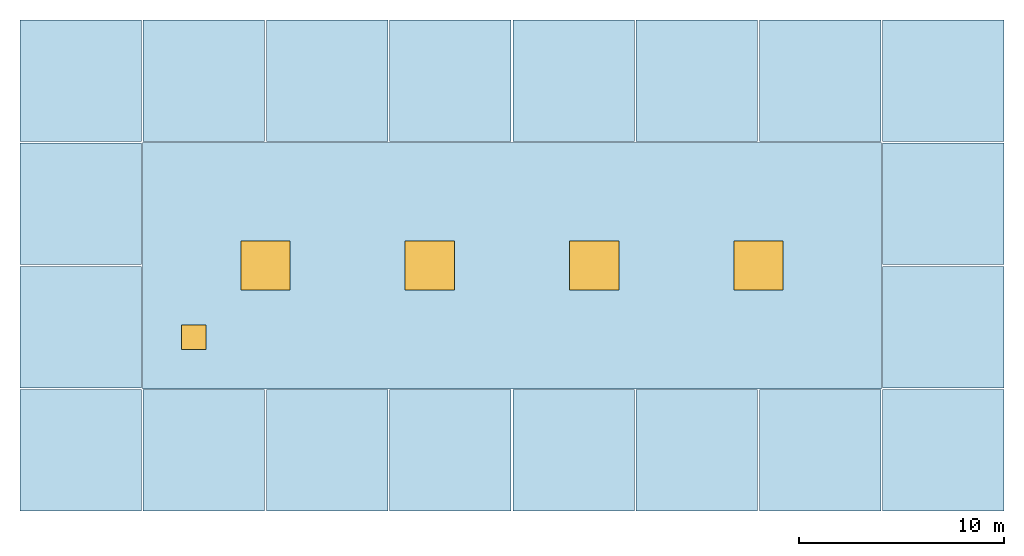
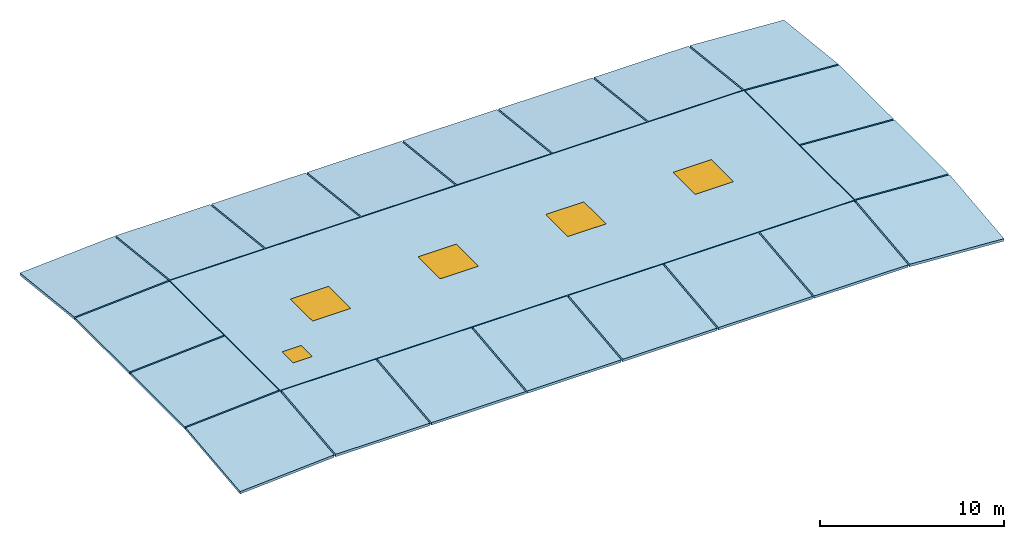
"""IFC4 building model written with IfcOpenShell, lengths in metres."""

from ifc_helpers import new_model, si_unit, direction, frame, origin, origin_2d, place, context, subcontext, project, spatial, polyline, rectangle, outline, extrude, material, layer, layer_set, type_object, element, fill, save


model = new_model("IFC4")

# Units and contexts
model_context = context("Model", 3, precision=1e-05, world=origin(), true_north=direction((0.0, 1.0)))
body_context = subcontext(model_context, "Body", "Model", "MODEL_VIEW")
ifc_project = project(units=[si_unit("LENGTHUNIT", "METRE"), si_unit("AREAUNIT", "SQUARE_METRE"), si_unit("VOLUMEUNIT", "CUBIC_METRE"), si_unit("PLANEANGLEUNIT", "RADIAN"), si_unit("MASSUNIT", "GRAM", prefix="KILO")], contexts=[model_context])

# Site, building, storey
site_placement = place(None, origin())
site = spatial("IfcSite", under=ifc_project, at=site_placement, CompositionType="ELEMENT")
building_placement = place(site_placement, origin())
building = spatial("IfcBuilding", under=site, at=building_placement, Name="Kolvaren Corner Interchange", CompositionType="ELEMENT")
storey_1_placement = place(building_placement, frame((0.0, 0.0, 26.800048828125)))
storey_1 = spatial("IfcBuildingStorey", under=building, at=storey_1_placement, Name="ROOF", CompositionType="ELEMENT", Elevation=26.800048828125)

# Slabs
ifc_material_1 = material(Name="Solar-Control Tempered Double Glazing", Category="glass")
ifc_layer_1 = layer(ifc_material_1, 0.179931640625)
ifc_layer_set_1 = layer_set([ifc_layer_1], Name="Solar-Control Tempered Double Glazing")
slab_type_1 = type_object("IfcSlabType", Name="SL-GRID-GLASS", PredefinedType="ROOF", material=ifc_layer_set_1)
slab_1_placement = place(storey_1_placement, frame((66.048095703125, 36.048095703125, 0.074951171875), z_axis=(-0.061998234989, -0.110219084425, 0.991971759823), x_axis=(0.998052578483, 0.0, 0.062378286155)))
element("IfcSlab", 1, at=slab_1_placement, inside=storey_1, type_object=slab_type_1, Name="Concourse Translational Gridshell Planar Glass Roof Panel 0027", PredefinedType="ROOF", context=body_context, shape_type="SweptSolid", body=[
    extrude(outline(polyline([(0.0, 0.0), (5.91552, 0.0), (5.95644, 5.94019), (0.04092, 5.94019), (0.0, 0.0)])), origin(), (0.0, 0.0, -1.0), 0.179931640625),
])
for number, where, z_axis, x_axis, name in (
    (2, (66.048095703125, 42.048095703125, 0.73095703125), (-0.062378286155, 0.0, 0.998052578483), (0.998052578483, 0.0, 0.062378286155), "Concourse Translational Gridshell Planar Glass Roof Panel 0028"),
    (3, (66.048095703125, 48.048095703125, 0.73095703125), (-0.062378286155, 0.0, 0.998052578483), (0.998052578483, 0.0, 0.062378286155), "Concourse Translational Gridshell Planar Glass Roof Panel 0029"),
):
    element("IfcSlab", number, at=place(storey_1_placement, frame(where, z_axis=z_axis, x_axis=x_axis)), inside=storey_1, type_object=slab_type_1, Name=name, PredefinedType="ROOF", context=body_context, shape_type="SweptSolid", body=[
        extrude(outline(polyline([(0.0, 0.0), (5.91552, 0.0), (5.91552, 5.904), (0.0, 5.904), (0.0, 0.0)])), origin(), (0.0, 0.0, -1.0), 0.179931640625),
    ])
slab_2_placement = place(storey_1_placement, frame((66.048095703125, 54.048095703125, 0.73095703125), z_axis=(-0.061998234989, 0.110219084425, 0.991971759823), x_axis=(0.998052578483, 0.0, 0.062378286155)))
element("IfcSlab", 4, at=slab_2_placement, inside=storey_1, type_object=slab_type_1, Name="Concourse Translational Gridshell Planar Glass Roof Panel 0030", PredefinedType="ROOF", context=body_context, shape_type="SweptSolid", body=[
    extrude(outline(polyline([(0.0, 0.0), (5.91552, 0.0), (5.8746, 5.94019), (-0.04092, 5.94019), (0.0, 0.0)])), origin(), (0.0, 0.0, -1.0), 0.179931640625),
])
for number, where, z_axis, x_axis, name in (
    (5, (72.048095703125, 36.048095703125, 0.44384765625), (0.0, -0.110431526075, 0.993883734674), (1.0, 0.0, 0.0), "Concourse Translational Gridshell Planar Glass Roof Panel 0035"),
    (6, (72.048095703125, 54.048095703125, 1.099853515625), (0.0, 0.110431526075, 0.993883734674), (1.0, 0.0, 0.0), "Concourse Translational Gridshell Planar Glass Roof Panel 0038"),
    (7, (78.048095703125, 36.048095703125, 0.44384765625), (0.0, -0.110431526075, 0.993883734674), (1.0, 0.0, 0.0), "Concourse Translational Gridshell Planar Glass Roof Panel 0043"),
    (8, (78.048095703125, 54.048095703125, 1.099853515625), (0.0, 0.110431526075, 0.993883734674), (1.0, 0.0, 0.0), "Concourse Translational Gridshell Planar Glass Roof Panel 0046"),
    (9, (84.048095703125, 36.048095703125, 0.44384765625), (0.0, -0.110431526075, 0.993883734674), (1.0, 0.0, 0.0), "Concourse Translational Gridshell Planar Glass Roof Panel 0051"),
    (10, (84.048095703125, 54.048095703125, 1.099853515625), (0.0, 0.110431526075, 0.993883734674), (1.0, 0.0, 0.0), "Concourse Translational Gridshell Planar Glass Roof Panel 0054"),
    (11, (90.048095703125, 36.048095703125, 0.44384765625), (0.0, -0.110431526075, 0.993883734674), (1.0, 0.0, 0.0), "Concourse Translational Gridshell Planar Glass Roof Panel 0059"),
    (12, (90.048095703125, 54.048095703125, 1.099853515625), (0.0, 0.110431526075, 0.993883734674), (1.0, 0.0, 0.0), "Concourse Translational Gridshell Planar Glass Roof Panel 0062"),
    (13, (96.048095703125, 36.048095703125, 0.44384765625), (0.0, -0.110431526075, 0.993883734674), (1.0, 0.0, 0.0), "Concourse Translational Gridshell Planar Glass Roof Panel 0067"),
    (14, (96.048095703125, 54.048095703125, 1.099853515625), (0.0, 0.110431526075, 0.993883734674), (1.0, 0.0, 0.0), "Concourse Translational Gridshell Planar Glass Roof Panel 0070"),
    (15, (102.048095703125, 36.048095703125, 0.44384765625), (0.0, -0.110431526075, 0.993883734674), (1.0, 0.0, 0.0), "Concourse Translational Gridshell Planar Glass Roof Panel 0075"),
    (16, (102.048095703125, 54.048095703125, 1.099853515625), (0.0, 0.110431526075, 0.993883734674), (1.0, 0.0, 0.0), "Concourse Translational Gridshell Planar Glass Roof Panel 0078"),
):
    element("IfcSlab", number, at=place(storey_1_placement, frame(where, z_axis=z_axis, x_axis=x_axis)), inside=storey_1, type_object=slab_type_1, Name=name, PredefinedType="ROOF", context=body_context, shape_type="SweptSolid", body=[
        extrude(outline(polyline([(0.0, 0.0), (5.904, 0.0), (5.904, 5.94033), (0.0, 5.94033), (0.0, 0.0)])), origin(), (0.0, 0.0, -1.0), 0.179931640625),
    ])
slab_3_placement = place(storey_1_placement, frame((108.048095703125, 36.048095703125, 0.44384765625), z_axis=(0.061998234989, -0.110219084425, 0.991971759823), x_axis=(0.998052578483, 0.0, -0.062378286155)))
element("IfcSlab", 17, at=slab_3_placement, inside=storey_1, type_object=slab_type_1, Name="Concourse Translational Gridshell Planar Glass Roof Panel 0083", PredefinedType="ROOF", context=body_context, shape_type="SweptSolid", body=[
    extrude(outline(polyline([(0.0, 0.0), (5.91552, 0.0), (5.8746, 5.94019), (-0.04092, 5.94019), (0.0, 0.0)])), origin(), (0.0, 0.0, -1.0), 0.179931640625),
])
for number, where, z_axis, x_axis, name in (
    (18, (108.048095703125, 42.048095703125, 1.099853515625), (0.062378286155, 0.0, 0.998052578483), (0.998052578483, 0.0, -0.062378286155), "Concourse Translational Gridshell Planar Glass Roof Panel 0084"),
    (19, (108.048095703125, 48.048095703125, 1.099853515625), (0.062378286155, 0.0, 0.998052578483), (0.998052578483, 0.0, -0.062378286155), "Concourse Translational Gridshell Planar Glass Roof Panel 0085"),
):
    element("IfcSlab", number, at=place(storey_1_placement, frame(where, z_axis=z_axis, x_axis=x_axis)), inside=storey_1, type_object=slab_type_1, Name=name, PredefinedType="ROOF", context=body_context, shape_type="SweptSolid", body=[
        extrude(outline(polyline([(0.0, 0.0), (5.91552, 0.0), (5.91552, 5.904), (0.0, 5.904), (0.0, 0.0)])), origin(), (0.0, 0.0, -1.0), 0.179931640625),
    ])
slab_4_placement = place(storey_1_placement, frame((108.048095703125, 54.048095703125, 1.099853515625), z_axis=(0.061998234989, 0.110219084425, 0.991971759823), x_axis=(0.998052578483, 0.0, -0.062378286155)))
element("IfcSlab", 20, at=slab_4_placement, inside=storey_1, type_object=slab_type_1, Name="Concourse Translational Gridshell Planar Glass Roof Panel 0086", PredefinedType="ROOF", context=body_context, shape_type="SweptSolid", body=[
    extrude(outline(polyline([(0.0, 0.0), (5.91552, 0.0), (5.95644, 5.94019), (0.04092, 5.94019), (0.0, 0.0)])), origin(), (0.0, 0.0, -1.0), 0.179931640625),
])

# Slab, openings
ifc_material_2 = material(Name="Concrete C35/45", Category="concrete")
ifc_layer_2 = layer(ifc_material_2, 0.300048828125)
ifc_layer_set_2 = layer_set([ifc_layer_2], Name="Concrete C35/45")
slab_type_2 = type_object("IfcSlabType", Name="SL-ROOF-300", PredefinedType="ROOF", material=ifc_layer_set_2)
slab_5_placement = place(storey_1_placement, frame((0.0, 0.0, 0.800048828125)))
slab_5 = element("IfcSlab", 21, at=slab_5_placement, inside=storey_1, type_object=slab_type_2, Name="Concourse Gridshell Flat Crown Roof Slab", PredefinedType="ROOF", context=body_context, shape_type="SweptSolid", body=[
    extrude(outline(polyline([(108.0, 42.0), (108.0, 54.0), (72.0, 54.0), (72.0, 42.0), (108.0, 42.0)])), origin(), (0.0, 0.0, 1.0), 0.2998046875),
])
opening_1_placement = place(slab_5_placement, frame((78.0, 48.0, 0.0)))
opening_1 = element("IfcOpeningElement", 22, at=opening_1_placement, cuts=slab_5, Name="Opening SK-01", PredefinedType="OPENING", context=body_context, shape_type="SweptSolid", body=[
    extrude(rectangle(XDim=2.39990234375, YDim=2.39990234375, at=origin_2d()), origin(), (0.0, 0.0, 1.0), 0.2998046875),
])
opening_2_placement = place(slab_5_placement, frame((86.0, 48.0, 0.0)))
opening_2 = element("IfcOpeningElement", 23, at=opening_2_placement, cuts=slab_5, Name="Opening SK-01", PredefinedType="OPENING", context=body_context, shape_type="SweptSolid", body=[
    extrude(rectangle(XDim=2.39990234375, YDim=2.39990234375, at=origin_2d()), origin(), (0.0, 0.0, 1.0), 0.2998046875),
])
opening_3_placement = place(slab_5_placement, frame((94.0, 48.0, 0.0)))
opening_3 = element("IfcOpeningElement", 24, at=opening_3_placement, cuts=slab_5, Name="Opening SK-01", PredefinedType="OPENING", context=body_context, shape_type="SweptSolid", body=[
    extrude(rectangle(XDim=2.39990234375, YDim=2.39990234375, at=origin_2d()), origin(), (0.0, 0.0, 1.0), 0.2998046875),
])
opening_4_placement = place(slab_5_placement, frame((102.0, 48.0, 0.0)))
opening_4 = element("IfcOpeningElement", 25, at=opening_4_placement, cuts=slab_5, Name="Opening SK-01", PredefinedType="OPENING", context=body_context, shape_type="SweptSolid", body=[
    extrude(rectangle(XDim=2.39990234375, YDim=2.39990234375, at=origin_2d()), origin(), (0.0, 0.0, 1.0), 0.2998046875),
])
opening_5_placement = place(slab_5_placement, frame((74.5, 44.5, 0.0)))
opening_5 = element("IfcOpeningElement", 26, at=opening_5_placement, cuts=slab_5, Name="Opening D-H01", PredefinedType="OPENING", context=body_context, shape_type="SweptSolid", body=[
    extrude(rectangle(XDim=1.199951171875, YDim=1.199951171875, at=origin_2d()), origin(), (0.0, 0.0, 1.0), 0.2998046875),
])

# Storey
storey_2_placement = place(building_placement, frame((0.0, 0.0, 10.5)))
storey_2 = spatial("IfcBuildingStorey", under=building, at=storey_2_placement, Name="L03", CompositionType="ELEMENT", Elevation=10.5)

# Door
ifc_material_3 = material(Name="Insulated Powder-Coated Aluminium Roof Hatch", Category="aluminium")
door_type = type_object("IfcDoorType", Name="DT-HATCH-1200", OperationType="NOTDEFINED", PredefinedType="TRAPDOOR", material=ifc_material_3)
door_placement = place(opening_5_placement, frame((0.0, 0.0, 0.249755859375)))
door = element("IfcDoor", 27, at=door_placement, inside=storey_2, type_object=door_type, Name="Gridshell Crown Maintenance Access Hatch 02", OperationType="SINGLE_SWING_LEFT", OverallHeight=1.199951171875, OverallWidth=1.199951171875, PredefinedType="TRAPDOOR", context=body_context, shape_type="SweptSolid", body=[
    extrude(rectangle(XDim=1.199951171875, YDim=1.199951171875, at=origin_2d()), origin(), (0.0, 0.0, 1.0), 0.050048828125),
])

fill(opening_5, door)

# Window
ifc_material_4 = material(Name="Thermally Broken Aluminium and Solar-Control Double Glazing", Category="aluminium")
window_type = type_object("IfcWindowType", Name="WT-SKY-2400x2400", PartitioningType="SINGLE_PANEL", PredefinedType="SKYLIGHT", material=ifc_material_4)
window_1_placement = place(opening_1_placement, frame((0.0, 0.0, 0.249755859375)))
window_1 = element("IfcWindow", 28, at=window_1_placement, inside=storey_1, type_object=window_type, Name="Concourse Crown Roof Skylight 01", OverallHeight=2.39990234375, OverallWidth=2.39990234375, PartitioningType="SINGLE_PANEL", PredefinedType="SKYLIGHT", context=body_context, shape_type="SweptSolid", body=[
    extrude(rectangle(XDim=2.39990234375, YDim=2.39990234375, at=origin_2d()), origin(), (0.0, 0.0, 1.0), 0.050048828125),
])

fill(opening_1, window_1)

window_2_placement = place(opening_2_placement, frame((0.0, 0.0, 0.249755859375)))
window_2 = element("IfcWindow", 29, at=window_2_placement, inside=storey_1, type_object=window_type, Name="Concourse Crown Roof Skylight 02", OverallHeight=2.39990234375, OverallWidth=2.39990234375, PartitioningType="SINGLE_PANEL", PredefinedType="SKYLIGHT", context=body_context, shape_type="SweptSolid", body=[
    extrude(rectangle(XDim=2.39990234375, YDim=2.39990234375, at=origin_2d()), origin(), (0.0, 0.0, 1.0), 0.050048828125),
])

fill(opening_2, window_2)

window_3_placement = place(opening_3_placement, frame((0.0, 0.0, 0.249755859375)))
window_3 = element("IfcWindow", 30, at=window_3_placement, inside=storey_1, type_object=window_type, Name="Concourse Crown Roof Skylight 03", OverallHeight=2.39990234375, OverallWidth=2.39990234375, PartitioningType="SINGLE_PANEL", PredefinedType="SKYLIGHT", context=body_context, shape_type="SweptSolid", body=[
    extrude(rectangle(XDim=2.39990234375, YDim=2.39990234375, at=origin_2d()), origin(), (0.0, 0.0, 1.0), 0.050048828125),
])

fill(opening_3, window_3)

window_4_placement = place(opening_4_placement, frame((0.0, 0.0, 0.249755859375)))
window_4 = element("IfcWindow", 31, at=window_4_placement, inside=storey_1, type_object=window_type, Name="Concourse Crown Roof Skylight 04", OverallHeight=2.39990234375, OverallWidth=2.39990234375, PartitioningType="SINGLE_PANEL", PredefinedType="SKYLIGHT", context=body_context, shape_type="SweptSolid", body=[
    extrude(rectangle(XDim=2.39990234375, YDim=2.39990234375, at=origin_2d()), origin(), (0.0, 0.0, 1.0), 0.050048828125),
])

fill(opening_4, window_4)

save(model, "model.ifc")
